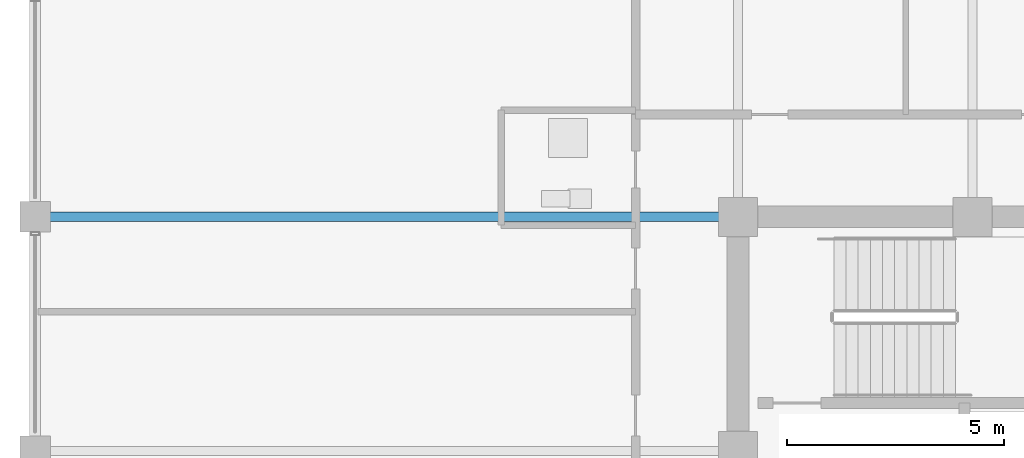
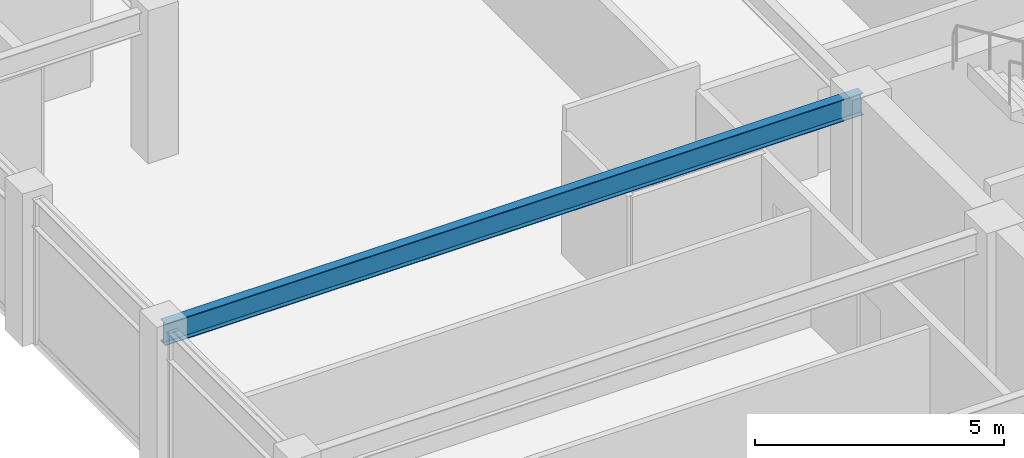
# One storey, part 15 of 31: 1 beam.
"""IFC4 building model written with IfcOpenShell, lengths in metres."""

from ifc_helpers import new_model, si_unit, direction, frame, origin, origin_2d, place, context, subcontext, project, spatial, i_section, extrude, material, material_profile, profile_set, type_object, element, save


model = new_model("IFC4")

# Units and contexts
model_context = context("Model", 3, precision=1e-05, world=origin(), true_north=direction((0.0, 1.0)))
body_context = subcontext(model_context, "Body", "Model", "MODEL_VIEW")
ifc_project = project(units=[si_unit("LENGTHUNIT", "METRE"), si_unit("AREAUNIT", "SQUARE_METRE"), si_unit("VOLUMEUNIT", "CUBIC_METRE"), si_unit("PLANEANGLEUNIT", "RADIAN"), si_unit("MASSUNIT", "GRAM", prefix="KILO")], contexts=[model_context])

# Site, building, storey
site_placement = place(None, origin())
site = spatial("IfcSite", under=ifc_project, at=site_placement, CompositionType="ELEMENT")
building_placement = place(site_placement, origin())
building = spatial("IfcBuilding", under=site, at=building_placement, Name="Surkhivell Harbour Commons", CompositionType="ELEMENT")
storey_placement = place(building_placement, frame((0.0, 0.0, 330.0)))
storey = spatial("IfcBuildingStorey", under=building, at=storey_placement, Name="L86", CompositionType="ELEMENT", Elevation=330.0)

# Beam
ifc_material = material(Name="Steel S355", Category="steel")
ifc_material_profile = material_profile(ifc_material, i_section(OverallWidth=0.2099609375, OverallDepth=0.537109375, WebThickness=0.0107421875, FlangeThickness=0.017333984375, at=origin_2d()), Name="UB533x210x101")
ifc_profile_set = profile_set([ifc_material_profile], Name="Steel S355")
beam_type = type_object("IfcBeamType", Name="BM-GRD-533B", PredefinedType="BEAM", material=ifc_profile_set)
beam_placement = place(storey_placement, frame((-27.0, 10.800048828125, 3.301513671875), z_axis=(1.0, 0.0, 0.0), x_axis=(0.0, 1.0, 0.0)))
element("IfcBeam", 1, at=beam_placement, inside=storey, type_object=beam_type, Name="L86 Floor Girder (-27.0,10.8)", PredefinedType="BEAM", context=body_context, shape_type="SweptSolid", body=[
    extrude(i_section(OverallWidth=0.2099609375, OverallDepth=0.537109375, WebThickness=0.0107421875, FlangeThickness=0.017333984375, at=origin_2d()), origin(), (0.0, 0.0, 1.0), 16.199951171875),
])

save(model, "model.ifc")
